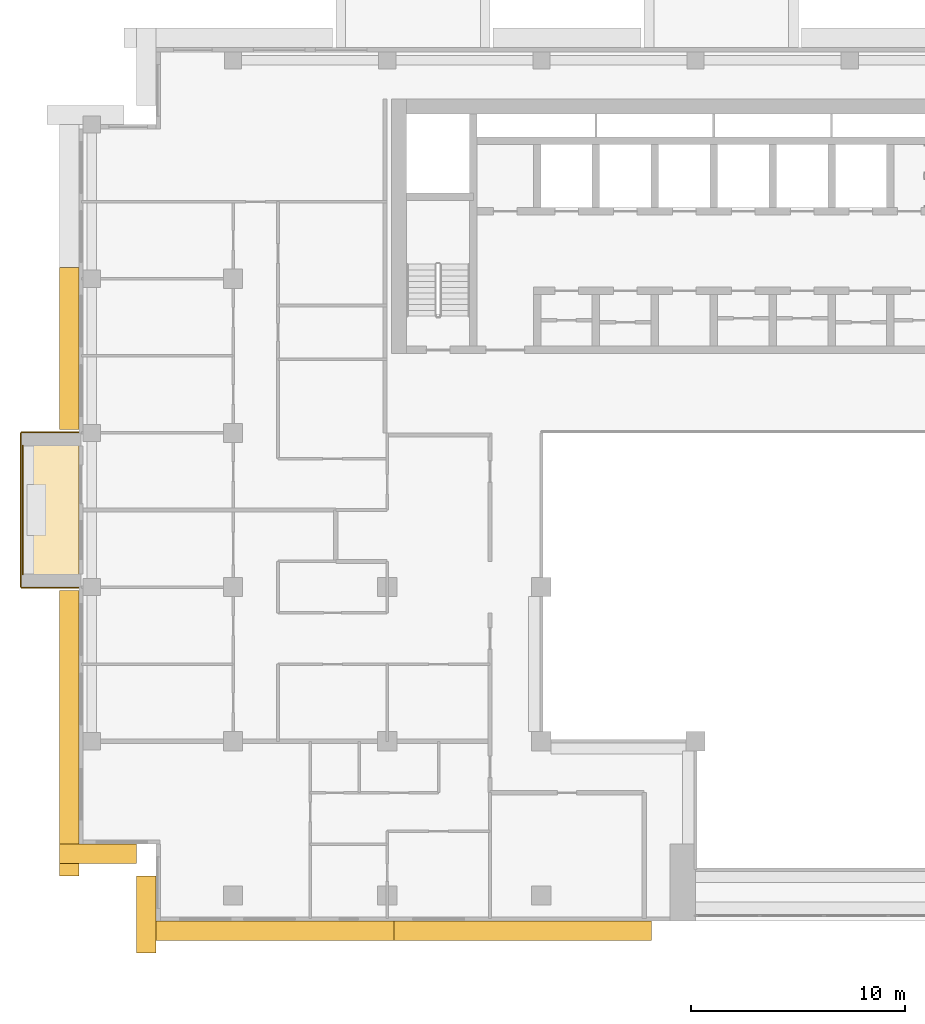
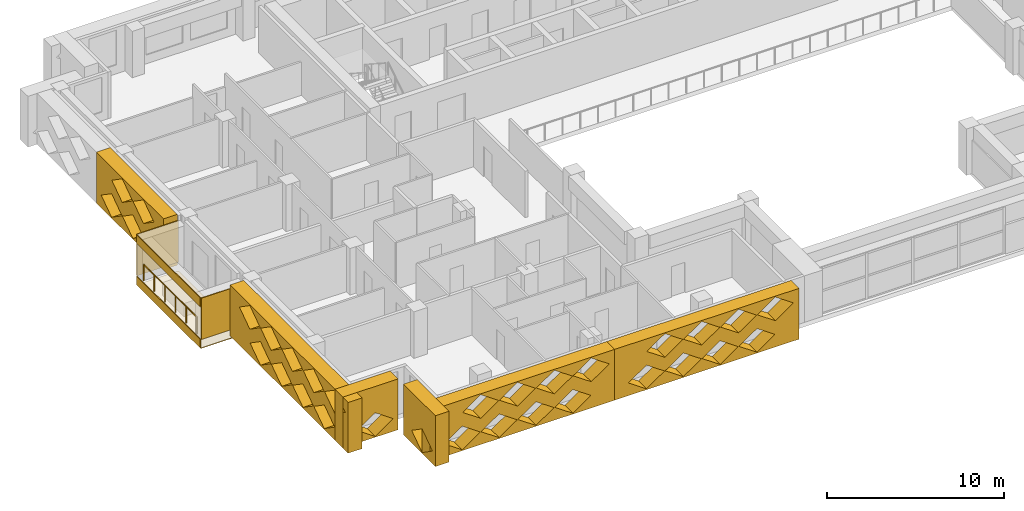
# One storey, part 14 of 20: 11 coverings, 1 railing.
"""IFC4 building model written with IfcOpenShell, lengths in metres."""

from ifc_helpers import new_model, si_unit, direction, frame, origin, origin_2d, place, context, subcontext, project, spatial, polyline, circle, outline, extrude, material, layer, layer_set, type_object, element, save


model = new_model("IFC4")

# Units and contexts
model_context = context("Model", 3, precision=1e-05, world=origin(), true_north=direction((0.0, 1.0)))
body_context = subcontext(model_context, "Body", "Model", "MODEL_VIEW")
ifc_project = project(units=[si_unit("LENGTHUNIT", "METRE"), si_unit("AREAUNIT", "SQUARE_METRE"), si_unit("VOLUMEUNIT", "CUBIC_METRE"), si_unit("PLANEANGLEUNIT", "RADIAN"), si_unit("MASSUNIT", "GRAM", prefix="KILO")], contexts=[model_context])

# Site, building, storey
site_placement = place(None, origin())
site = spatial("IfcSite", under=ifc_project, at=site_placement, CompositionType="ELEMENT")
building_placement = place(site_placement, origin())
building = spatial("IfcBuilding", under=site, at=building_placement, Name="Saffron Iwan Residences", CompositionType="ELEMENT")
storey_placement = place(building_placement, frame((0.0, 0.0, 185.0)))
storey = spatial("IfcBuildingStorey", under=building, at=storey_placement, Name="L49", CompositionType="ELEMENT", Elevation=185.0)

# Railing
ifc_material_1 = material(Name="Stainless steel 316", Category="steel")
railing_type = type_object("IfcRailingType", Name="BALCONY GUARD 1150", PredefinedType="GUARDRAIL", material=ifc_material_1)
railing_placement = place(storey_placement, frame((11.77490234375, 61.800048828125, 0.0)))
element("IfcRailing", 1, at=railing_placement, inside=storey, type_object=railing_type, Name="Balcony guard L49 F8-0", PredefinedType="GUARDRAIL", context=body_context, shape_type="SweptSolid", body=[
    extrude(circle(Radius=0.02392578125, at=origin_2d()), frame((0.0, 0.0, 1.1259765625), z_axis=(0.0, -1.0, 0.0), x_axis=(1.0, 0.0, 0.0)), (0.0, 0.0, 1.0), 6.0),
    extrude(circle(Radius=0.02099609375, at=origin_2d()), origin(), (0.0, 0.0, 1.0), 1.101806640625),
    extrude(circle(Radius=0.02099609375, at=origin_2d()), frame((0.0, -1.199951171875, 0.0)), (0.0, 0.0, 1.0), 1.101806640625),
    extrude(circle(Radius=0.02099609375, at=origin_2d()), frame((0.0, -2.39990234375, 0.0)), (0.0, 0.0, 1.0), 1.101806640625),
    extrude(circle(Radius=0.02099609375, at=origin_2d()), frame((0.0, -3.60009765625, 0.0)), (0.0, 0.0, 1.0), 1.101806640625),
    extrude(circle(Radius=0.02099609375, at=origin_2d()), frame((0.0, -4.800048828125, 0.0)), (0.0, 0.0, 1.0), 1.101806640625),
    extrude(circle(Radius=0.02099609375, at=origin_2d()), frame((0.0, -6.0, 0.0)), (0.0, 0.0, 1.0), 1.101806640625),
])

# Coverings
ifc_material_2 = material(Name="Precast concrete C40/50 white painted", Category="concrete")
ifc_layer = layer(ifc_material_2, 0.050048828125)
ifc_layer_set = layer_set([ifc_layer], Name="Precast concrete C40/50 white painted")
covering_type_1 = type_object("IfcCoveringType", Name="FRAME SKIN PRECAST WHITE 50", PredefinedType="CLADDING", material=ifc_layer_set)
for number, where, name in (
    (2, (0.0, 0.0, -0.60009765625), "Frame skin slab edge L49 F8-0"),
    (3, (0.0, 0.0, 2.25), "Frame skin fascia L49 F8-0"),
):
    element("IfcCovering", number, at=place(storey_placement, frame(where)), inside=storey, type_object=covering_type_1, Name=name, PredefinedType="CLADDING", context=body_context, shape_type="SweptSolid", body=[
        extrude(outline(polyline([(11.64990234375, 62.39990234375), (11.64990234375, 55.199951171875), (11.699951171875, 55.199951171875), (11.699951171875, 62.39990234375), (11.64990234375, 62.39990234375)])), origin(), (0.0, 0.0, 1.0), 0.60009765625),
    ])
covering_1_placement = place(storey_placement, frame((0.0, 0.0, -0.64990234375)))
element("IfcCovering", 4, at=covering_1_placement, inside=storey, type_object=covering_type_1, Name="Frame skin soffit L49 F8-0", PredefinedType="CLADDING", context=body_context, shape_type="SweptSolid", body=[
    extrude(outline(polyline([(11.699951171875, 62.39990234375), (11.699951171875, 55.199951171875), (14.39990234375, 55.199951171875), (14.39990234375, 62.39990234375), (11.699951171875, 62.39990234375)])), origin(), (0.0, 0.0, 1.0), 0.0498046875),
])
covering_2_placement = place(storey_placement, origin())
element("IfcCovering", 5, at=covering_2_placement, inside=storey, type_object=covering_type_1, Name="Frame skin fin L49 F8-0a", PredefinedType="CLADDING", context=body_context, shape_type="SweptSolid", body=[
    extrude(outline(polyline([(11.699951171875, 62.449951171875), (11.699951171875, 62.39990234375), (14.39990234375, 62.39990234375), (14.39990234375, 62.449951171875), (11.699951171875, 62.449951171875)])), origin(), (0.0, 0.0, 1.0), 2.85009765625),
])
covering_3_placement = place(storey_placement, origin())
element("IfcCovering", 6, at=covering_3_placement, inside=storey, type_object=covering_type_1, Name="Frame skin fin L49 F8-0b", PredefinedType="CLADDING", context=body_context, shape_type="SweptSolid", body=[
    extrude(outline(polyline([(11.699951171875, 55.199951171875), (11.699951171875, 55.14990234375), (14.39990234375, 55.14990234375), (14.39990234375, 55.199951171875), (11.699951171875, 55.199951171875)])), origin(), (0.0, 0.0, 1.0), 2.85009765625),
])
ifc_material_3 = material(Name="Precast concrete C40/50", Category="concrete")
covering_type_2 = type_object("IfcCoveringType", Name="OUTER SKIN LATTICE SCREEN", PredefinedType="CLADDING", material=ifc_material_3)
covering_4_placement = place(storey_placement, frame((14.39990234375, 70.125, -0.300048828125), z_axis=(-1.0, 0.0, 0.0), x_axis=(0.0, -1.0, 0.0)))
element("IfcCovering", 7, at=covering_4_placement, inside=storey, type_object=covering_type_2, Name="OUTER SKIN lattice screen L49 F8.1", PredefinedType="CLADDING", context=body_context, shape_type="SweptSolid", body=[
    extrude(outline(polyline([(0.0, 0.0), (7.574951171875, 0.0), (7.574951171875, 3.5), (0.0, 3.5), (0.0, 0.0)]), holes=[polyline([(0.544921875, 0.875), (1.72509765625, 0.06005859375), (2.905029296875, 0.875), (1.72509765625, 1.68994140625), (0.544921875, 0.875)]), polyline([(2.945068359375, 0.875), (4.125, 0.06005859375), (5.304931640625, 0.875), (4.125, 1.68994140625), (2.945068359375, 0.875)]), polyline([(1.7451171875, 2.625), (2.925048828125, 1.81005859375), (4.10498046875, 2.625), (2.925048828125, 3.43994140625), (1.7451171875, 2.625)]), polyline([(4.14501953125, 2.625), (5.324951171875, 1.81005859375), (6.5048828125, 2.625), (5.324951171875, 3.43994140625), (4.14501953125, 2.625)])]), origin(), (0.0, 0.0, 1.0), 0.89990234375),
])
covering_5_placement = place(storey_placement, frame((14.39990234375, 55.050048828125, -0.300048828125), z_axis=(-1.0, 0.0, 0.0), x_axis=(0.0, -1.0, 0.0)))
element("IfcCovering", 8, at=covering_5_placement, inside=storey, type_object=covering_type_2, Name="OUTER SKIN lattice screen L49 F8.2", PredefinedType="CLADDING", context=body_context, shape_type="SweptSolid", body=[
    extrude(outline(polyline([(0.0, 0.0), (13.35009765625, 0.0), (13.35009765625, 3.5), (0.0, 3.5), (0.0, 0.0)]), holes=[polyline([(2.27001953125, 0.875), (3.449951171875, 0.06005859375), (4.6298828125, 0.875), (3.449951171875, 1.68994140625), (2.27001953125, 0.875)]), polyline([(4.669921875, 0.875), (5.85009765625, 0.06005859375), (7.030029296875, 0.875), (5.85009765625, 1.68994140625), (4.669921875, 0.875)]), polyline([(7.070068359375, 0.875), (8.25, 0.06005859375), (9.429931640625, 0.875), (8.25, 1.68994140625), (7.070068359375, 0.875)]), polyline([(9.469970703125, 0.875), (10.64990234375, 0.06005859375), (11.830078125, 0.875), (10.64990234375, 1.68994140625), (9.469970703125, 0.875)]), polyline([(1.070068359375, 2.625), (2.25, 1.81005859375), (3.429931640625, 2.625), (2.25, 3.43994140625), (1.070068359375, 2.625)]), polyline([(3.469970703125, 2.625), (4.64990234375, 1.81005859375), (5.830078125, 2.625), (4.64990234375, 3.43994140625), (3.469970703125, 2.625)]), polyline([(5.8701171875, 2.625), (7.050048828125, 1.81005859375), (8.22998046875, 2.625), (7.050048828125, 3.43994140625), (5.8701171875, 2.625)]), polyline([(8.27001953125, 2.625), (9.449951171875, 1.81005859375), (10.6298828125, 2.625), (9.449951171875, 3.43994140625), (8.27001953125, 2.625)]), polyline([(10.669921875, 2.625), (11.85009765625, 1.81005859375), (13.030029296875, 2.625), (11.85009765625, 3.43994140625), (10.669921875, 2.625)])]), origin(), (0.0, 0.0, 1.0), 0.89990234375),
])
for number, where, z_axis, x_axis, name in (
    (9, (13.5, 43.199951171875, -0.300048828125), (0.0, -1.0, 0.0), (1.0, 0.0, 0.0), "OUTER SKIN lattice screen L49 F9.0"),
    (10, (18.0, 41.699951171875, -0.300048828125), (-1.0, 0.0, 0.0), (0.0, -1.0, 0.0), "OUTER SKIN lattice screen L49 F10.0"),
):
    element("IfcCovering", number, at=place(storey_placement, frame(where, z_axis=z_axis, x_axis=x_axis)), inside=storey, type_object=covering_type_2, Name=name, PredefinedType="CLADDING", context=body_context, shape_type="SweptSolid", body=[
        extrude(outline(polyline([(0.0, 0.0), (3.60009765625, 0.0), (3.60009765625, 3.5), (0.0, 3.5), (0.0, 0.0)]), holes=[polyline([(0.919921875, 0.875), (2.10009765625, 0.06005859375), (3.280029296875, 0.875), (2.10009765625, 1.68994140625), (0.919921875, 0.875)])]), origin(), (0.0, 0.0, 1.0), 0.89990234375),
    ])
covering_6_placement = place(storey_placement, frame((17.10009765625, 39.60009765625, -0.300048828125), z_axis=(0.0, -1.0, 0.0), x_axis=(1.0, 0.0, 0.0)))
element("IfcCovering", 11, at=covering_6_placement, inside=storey, type_object=covering_type_2, Name="OUTER SKIN lattice screen L49 F11.0", PredefinedType="CLADDING", context=body_context, shape_type="SweptSolid", body=[
    extrude(outline(polyline([(0.0, 0.0), (12.02490234375, 0.0), (12.02490234375, 3.5), (0.0, 3.5), (0.0, 0.0)]), holes=[polyline([(0.919921875, 0.875), (2.10009765625, 0.06005859375), (3.280029296875, 0.875), (2.10009765625, 1.68994140625), (0.919921875, 0.875)]), polyline([(3.320068359375, 0.875), (4.5, 0.06005859375), (5.679931640625, 0.875), (4.5, 1.68994140625), (3.320068359375, 0.875)]), polyline([(5.719970703125, 0.875), (6.89990234375, 0.06005859375), (8.080078125, 0.875), (6.89990234375, 1.68994140625), (5.719970703125, 0.875)]), polyline([(8.1201171875, 0.875), (9.300048828125, 0.06005859375), (10.47998046875, 0.875), (9.300048828125, 1.68994140625), (8.1201171875, 0.875)]), polyline([(2.1201171875, 2.625), (3.300048828125, 1.81005859375), (4.47998046875, 2.625), (3.300048828125, 3.43994140625), (2.1201171875, 2.625)]), polyline([(4.52001953125, 2.625), (5.699951171875, 1.81005859375), (6.8798828125, 2.625), (5.699951171875, 3.43994140625), (4.52001953125, 2.625)]), polyline([(6.919921875, 2.625), (8.10009765625, 1.81005859375), (9.280029296875, 2.625), (8.10009765625, 3.43994140625), (6.919921875, 2.625)]), polyline([(9.320068359375, 2.625), (10.5, 1.81005859375), (11.679931640625, 2.625), (10.5, 3.43994140625), (9.320068359375, 2.625)])]), origin(), (0.0, 0.0, 1.0), 0.900146484375),
])
covering_7_placement = place(storey_placement, frame((29.125, 39.60009765625, -0.300048828125), z_axis=(0.0, -1.0, 0.0), x_axis=(1.0, 0.0, 0.0)))
element("IfcCovering", 12, at=covering_7_placement, inside=storey, type_object=covering_type_2, Name="OUTER SKIN lattice screen L49 F11.1", PredefinedType="CLADDING", context=body_context, shape_type="SweptSolid", body=[
    extrude(outline(polyline([(0.0, 0.0), (12.02490234375, 0.0), (12.02490234375, 3.5), (0.0, 3.5), (0.0, 0.0)]), holes=[polyline([(0.89501953125, 0.875), (2.074951171875, 0.06005859375), (3.2548828125, 0.875), (2.074951171875, 1.68994140625), (0.89501953125, 0.875)]), polyline([(3.294921875, 0.875), (4.47509765625, 0.06005859375), (5.655029296875, 0.875), (4.47509765625, 1.68994140625), (3.294921875, 0.875)]), polyline([(5.695068359375, 0.875), (6.875, 0.06005859375), (8.054931640625, 0.875), (6.875, 1.68994140625), (5.695068359375, 0.875)]), polyline([(8.094970703125, 0.875), (9.27490234375, 0.06005859375), (10.455078125, 0.875), (9.27490234375, 1.68994140625), (8.094970703125, 0.875)]), polyline([(2.094970703125, 2.625), (3.27490234375, 1.81005859375), (4.455078125, 2.625), (3.27490234375, 3.43994140625), (2.094970703125, 2.625)]), polyline([(4.4951171875, 2.625), (5.675048828125, 1.81005859375), (6.85498046875, 2.625), (5.675048828125, 3.43994140625), (4.4951171875, 2.625)]), polyline([(6.89501953125, 2.625), (8.074951171875, 1.81005859375), (9.2548828125, 2.625), (8.074951171875, 3.43994140625), (6.89501953125, 2.625)]), polyline([(9.294921875, 2.625), (10.47509765625, 1.81005859375), (11.655029296875, 2.625), (10.47509765625, 3.43994140625), (9.294921875, 2.625)])]), origin(), (0.0, 0.0, 1.0), 0.900146484375),
])

save(model, "model.ifc")
